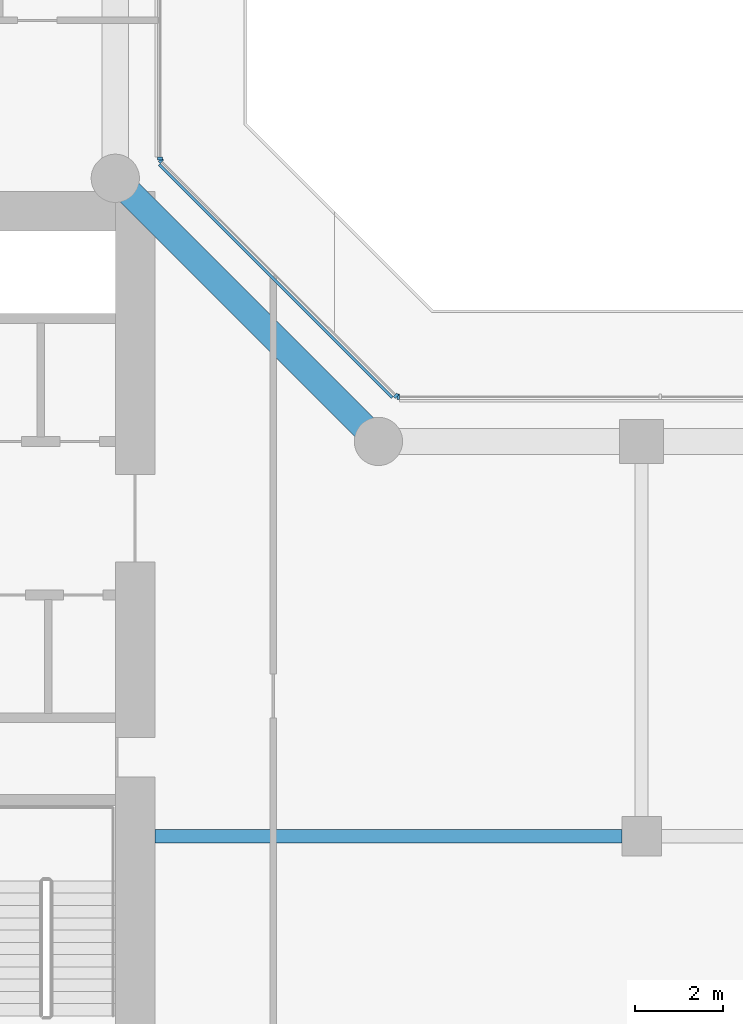
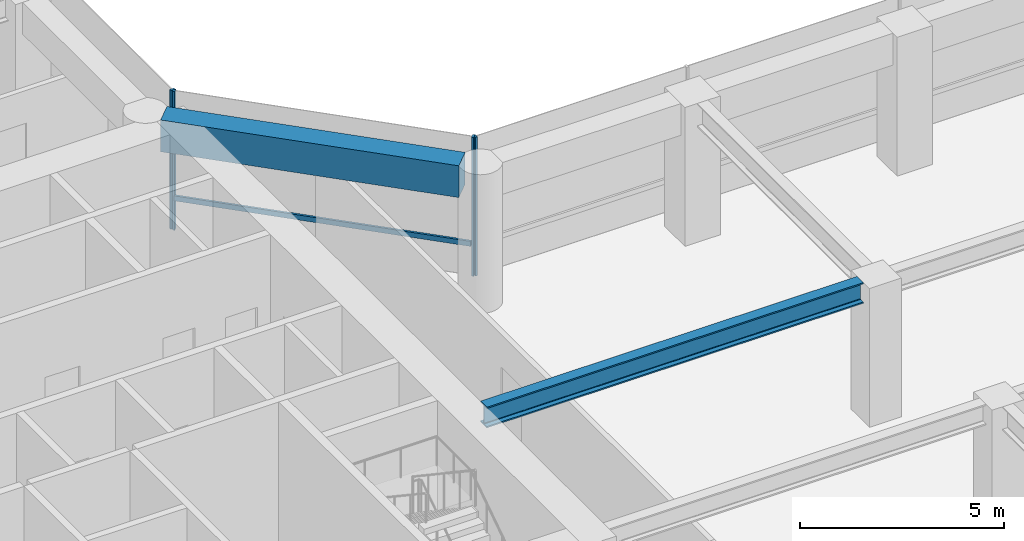
# One storey, part 5 of 24: 5 members, 2 beams, 3 elements without a shape of their own.
"""IFC4 building model written with IfcOpenShell, lengths in metres."""

import ifcopenshell
import ifcopenshell.guid

model = None  # the IFC model being written
_history = None  # IfcOwnerHistory: only IFC2X3 demands one
_inside = {}  # id of a spatial element -> (the spatial element, [elements in it])
_under = {}  # id of a project, library or spatial element -> (it, [spatial elements below it])
_declared = {}  # id of a project -> (the project, [libraries it declares])
_typed = {}  # id of a type object -> (the type object, [elements of that type])
_made_of = {}  # id of a material, layer set ... -> (it, [elements and type objects made of it])


def new_model(schema):
    """Start an empty IFC model of exactly this schema.

    Asked for "IFC4X3", IfcOpenShell would pick the latest addendum, in which some entities
    have other attributes; the version numbers below select the first issue.
    IFC2X3 requires an IfcOwnerHistory on every rooted entity: one is made here for all.
    """
    global model, _history
    if schema == "IFC4X3":
        model = ifcopenshell.file(schema_version=(4, 3, 0, 0))
    else:
        model = ifcopenshell.file(schema=schema)
    _inside.clear()
    _under.clear()
    _declared.clear()
    _typed.clear()
    _made_of.clear()
    _history = None
    if model.schema == "IFC2X3":
        org = make("IfcOrganization", Name="unknown")
        user = make(
            "IfcPersonAndOrganization",
            ThePerson=make("IfcPerson", FamilyName="unknown"),
            TheOrganization=org,
        )
        app = make(
            "IfcApplication",
            ApplicationDeveloper=org,
            Version="unknown",
            ApplicationFullName="unknown",
            ApplicationIdentifier="unknown",
        )
        _history = make(
            "IfcOwnerHistory",
            OwningUser=user,
            OwningApplication=app,
            ChangeAction="ADDED",
            CreationDate=0,
        )
    return model


def make(cls, **values):
    """One entity of the class cls with the attributes given. An attribute that is None is left unset."""
    return model.create_entity(
        cls, **{name: value for name, value in values.items() if value is not None}
    )


def rooted(cls, **values):
    """An entity with a GlobalId (a new one), such as an element, a storey or a relation."""
    return make(cls, GlobalId=ifcopenshell.guid.new(), OwnerHistory=_history, **values)


def si_unit(unit_type, name, prefix=None):
    """IfcSIUnit, for example si_unit("LENGTHUNIT", "METRE", prefix="MILLI")."""
    return make("IfcSIUnit", UnitType=unit_type, Prefix=prefix, Name=name)


def assignment(units):
    """IfcUnitAssignment: the units of a project."""
    return None if units is None else make("IfcUnitAssignment", Units=units)


def point(xyz):
    """IfcCartesianPoint."""
    return None if xyz is None else make("IfcCartesianPoint", Coordinates=xyz)


def direction(xyz):
    """IfcDirection."""
    return None if xyz is None else make("IfcDirection", DirectionRatios=xyz)


def frame(location, z_axis=None, x_axis=None):
    """IfcAxis2Placement3D, a coordinate frame: its origin and axes. An axis left out is left unset."""
    return make(
        "IfcAxis2Placement3D",
        Location=point(location),
        Axis=direction(z_axis),
        RefDirection=direction(x_axis),
    )


def frame_2d(location, x_axis=None):
    """IfcAxis2Placement2D, a coordinate frame in the plane: its origin and x axis."""
    return make(
        "IfcAxis2Placement2D", Location=point(location), RefDirection=direction(x_axis)
    )


def origin():
    """The frame at (0, 0, 0) with its axes left unset."""
    return frame((0.0, 0.0, 0.0))


def origin_2d():
    """The frame at (0, 0) in the plane with its x axis left unset."""
    return frame_2d((0.0, 0.0))


def place(relative_to, where):
    """IfcLocalPlacement: puts the frame where relative to a parent placement (None: the world)."""
    return make(
        "IfcLocalPlacement", PlacementRelTo=relative_to, RelativePlacement=where
    )


def context(
    kind, dimensions, precision=None, world=None, true_north=None, identifier=None
):
    """IfcGeometricRepresentationContext, for example the 3D "Model" context."""
    return make(
        "IfcGeometricRepresentationContext",
        ContextIdentifier=identifier,
        ContextType=kind,
        CoordinateSpaceDimension=dimensions,
        Precision=precision,
        WorldCoordinateSystem=world,
        TrueNorth=true_north,
    )


def subcontext(parent, identifier, kind, view, scale=None):
    """IfcGeometricRepresentationSubContext, for example "Body" below "Model"."""
    return make(
        "IfcGeometricRepresentationSubContext",
        ContextIdentifier=identifier,
        ContextType=kind,
        ParentContext=parent,
        TargetScale=scale,
        TargetView=view,
    )


def project(units=None, contexts=None):
    """IfcProject with its units and contexts."""
    return rooted(
        "IfcProject",
        Name="project",
        RepresentationContexts=contexts,
        UnitsInContext=assignment(units),
    )


def spatial(cls, under=None, at=None, **own):
    """A site, building, storey or space (cls), placed at a placement, below another one or the project."""
    s = rooted(cls, ObjectPlacement=at, **own)
    if under is not None:
        _under.setdefault(under.id(), (under, []))[1].append(s)
    return s


def profile(cls, at=None, kind="AREA", **sizes):
    """A parametric profile (cls). Its sizes go by their IFC names, for example OverallWidth=200.0."""
    return make(cls, ProfileType=kind, Position=at, **sizes)


def rectangle(**sizes):
    """IfcRectangleProfileDef."""
    return profile("IfcRectangleProfileDef", **sizes)


def i_section(**sizes):
    """IfcIShapeProfileDef."""
    return profile("IfcIShapeProfileDef", **sizes)


def extrude(swept, where, along, depth):
    """IfcExtrudedAreaSolid: the profile swept, set in the frame where, extruded along a direction by depth."""
    return make(
        "IfcExtrudedAreaSolid",
        SweptArea=swept,
        Position=where,
        ExtrudedDirection=direction(along),
        Depth=depth,
    )


def shape(context_of_items, identifier, shape_type, items):
    """IfcShapeRepresentation: the items that make up one representation, for example the "Body"."""
    return make(
        "IfcShapeRepresentation",
        ContextOfItems=context_of_items,
        RepresentationIdentifier=identifier,
        RepresentationType=shape_type,
        Items=items,
    )


def material(Name=None, Category=None):
    """IfcMaterial."""
    return make("IfcMaterial", Name=Name, Category=Category)


def layer(
    of_material, thickness, ventilated=None, Name=None, Category=None, Priority=None
):
    """IfcMaterialLayer: one layer of a wall or slab, of a material (None: an air gap)."""
    return make(
        "IfcMaterialLayer",
        Material=of_material,
        LayerThickness=thickness,
        IsVentilated=ventilated,
        Name=Name,
        Category=Category,
        Priority=Priority,
    )


def layer_set(layers, Name=None):
    """IfcMaterialLayerSet."""
    return make("IfcMaterialLayerSet", MaterialLayers=layers, LayerSetName=Name)


def material_profile(
    of_material, cross_section, Name=None, Category=None, Priority=None
):
    """IfcMaterialProfile: a cross section and its material."""
    return make(
        "IfcMaterialProfile",
        Name=Name,
        Material=of_material,
        Profile=cross_section,
        Priority=Priority,
        Category=Category,
    )


def profile_set(profiles, Name=None, composite=None):
    """IfcMaterialProfileSet."""
    return make(
        "IfcMaterialProfileSet",
        Name=Name,
        MaterialProfiles=profiles,
        CompositeProfile=composite,
    )


def made_of(thing, what):
    """Note that an element or type object is made of a material, layer set ...; save() writes the relation."""
    if what is not None:
        _made_of.setdefault(what.id(), (what, []))[1].append(thing)
    return thing


def type_object(cls, material=None, **own):
    """A type object (cls), such as IfcWallType, which elements share."""
    return made_of(rooted(cls, **own), material)


def element(
    cls,
    number,
    at=None,
    inside=None,
    cuts=None,
    type_object=None,
    material=None,
    context=None,
    identifier="Body",
    shape_type=None,
    held_by="IfcProductDefinitionShape",
    body=None,
    shapes=None,
    **own,
):
    """One element of the class cls, such as IfcWall. Its Tag is "e" and its number.

    at: its placement. inside: the storey or other place that contains it. cuts: it is an
    opening in that element (IfcRelVoidsElement). A single representation is given by context,
    identifier, shape_type and body (its items); several are given by shapes. held_by: the class
    of the entity that holds the representations. save() writes the other relations.
    """
    e = rooted(cls, Tag="e%d" % number, ObjectPlacement=at, **own)
    if body is not None:
        shapes = [shape(context, identifier, shape_type, body)]
    if shapes is not None:
        e.Representation = make(held_by, Representations=shapes)
    if inside is not None:
        _inside.setdefault(inside.id(), (inside, []))[1].append(e)
    if cuts is not None:
        rooted(
            "IfcRelVoidsElement", RelatingBuildingElement=cuts, RelatedOpeningElement=e
        )
    if type_object is not None:
        _typed.setdefault(type_object.id(), (type_object, []))[1].append(e)
    return made_of(e, material)


def aggregate(whole, parts):
    """IfcRelAggregates: a whole, such as a stair, and the parts it consists of."""
    return rooted("IfcRelAggregates", RelatingObject=whole, RelatedObjects=parts)


def save(model, path):
    """Write the relations noted so far, then the file.

    IfcRelAggregates (storeys below a building ...), IfcRelContainedInSpatialStructure (elements
    in a storey), IfcRelDefinesByType, IfcRelAssociatesMaterial and IfcRelDeclares: one each for
    every whole, place, type object, material and project.
    """
    for whole, parts in _under.values():
        aggregate(whole, parts)
    for where, things in _inside.values():
        rooted(
            "IfcRelContainedInSpatialStructure",
            RelatedElements=things,
            RelatingStructure=where,
        )
    for kind, things in _typed.values():
        rooted("IfcRelDefinesByType", RelatedObjects=things, RelatingType=kind)
    for what, things in _made_of.values():
        rooted("IfcRelAssociatesMaterial", RelatedObjects=things, RelatingMaterial=what)
    for by, libraries in _declared.values():
        rooted("IfcRelDeclares", RelatingContext=by, RelatedDefinitions=libraries)
    model.write(path)


model = new_model("IFC4")

# Units and contexts
model_context = context("Model", 3, precision=1e-05, world=origin(), true_north=direction((0.0, 1.0)))
body_context = subcontext(model_context, "Body", "Model", "MODEL_VIEW")
ifc_project = project(units=[si_unit("LENGTHUNIT", "METRE"), si_unit("AREAUNIT", "SQUARE_METRE"), si_unit("VOLUMEUNIT", "CUBIC_METRE"), si_unit("PLANEANGLEUNIT", "RADIAN"), si_unit("MASSUNIT", "GRAM", prefix="KILO")], contexts=[model_context])

# Site, building, storey
site_placement = place(None, origin())
site = spatial("IfcSite", under=ifc_project, at=site_placement, CompositionType="ELEMENT")
building_placement = place(site_placement, origin())
building = spatial("IfcBuilding", under=site, at=building_placement, Name="Welwitschia Terrace Campus", CompositionType="ELEMENT")
storey_placement = place(building_placement, frame((0.0, 0.0, 15.5)))
storey = spatial("IfcBuildingStorey", under=building, at=storey_placement, Name="L03", CompositionType="ELEMENT", Elevation=15.5)

# Beam
ifc_material_1 = material(Name="Steel S355", Category="steel")
ifc_material_profile_1 = material_profile(ifc_material_1, i_section(OverallWidth=0.304931640625, OverallDepth=0.6201171875, WebThickness=0.02099609375, FlangeThickness=0.0400390625, FilletRadius=0.027099609375, at=origin_2d()))
ifc_profile_set_1 = profile_set([ifc_material_profile_1], Name="Steel S355")
beam_type_1 = type_object("IfcBeamType", Name="Interior girder HE 600 M", PredefinedType="BEAM", material=ifc_profile_set_1)
beam_1_placement = place(storey_placement, frame((24.90087890625, 11.0, 3.840087890625), z_axis=(1.0, 0.0, 0.0), x_axis=(0.0, 1.0, 0.0)))
element("IfcBeam", 1, at=beam_1_placement, inside=storey, type_object=beam_type_1, Name="Girder GB1", PredefinedType="BEAM", context=body_context, shape_type="SweptSolid", body=[
    extrude(i_section(OverallWidth=0.304931640625, OverallDepth=0.6201171875, WebThickness=0.02099609375, FlangeThickness=0.0400390625, FilletRadius=0.027099609375, at=origin_2d()), origin(), (0.0, 0.0, 1.0), 10.648681640625),
])

# Curtain wall, member
ifc_material_2 = material(Name="Bronze anodised aluminium", Category="aluminium")
ifc_layer = layer(ifc_material_2, 0.1201171875)
ifc_layer_set = layer_set([ifc_layer], Name="Bronze anodised aluminium")
curtain_wall_type = type_object("IfcCurtainWallType", Name="Curtain wall CW2 tower 6000", PredefinedType="NOTDEFINED", material=ifc_layer_set)
curtain_wall_1_placement = place(storey_placement, origin())
curtain_wall_1 = element("IfcCurtainWall", 2, at=curtain_wall_1_placement, inside=storey, type_object=curtain_wall_type, Name="CW L03.5.0", PredefinedType="NOTDEFINED")
ifc_material_3 = material(Name="Bronze anodised aluminium", Category="aluminium")
ifc_material_profile_2 = material_profile(ifc_material_3, rectangle(XDim=0.1201171875, YDim=0.06005859375, at=origin_2d()))
ifc_profile_set_2 = profile_set([ifc_material_profile_2], Name="Bronze anodised aluminium")
member_type_1 = type_object("IfcMemberType", Name="Mullion 60x120", PredefinedType="MULLION", material=ifc_profile_set_2)
member_1_placement = place(storey_placement, frame((30.452392578125, 21.02001953125, 0.0), z_axis=(0.0, 0.0, 1.0), x_axis=(0.0, -1.0, 0.0)))
member_1 = element("IfcMember", 3, at=member_1_placement, type_object=member_type_1, Name="Mullion L03.5.0.5", PredefinedType="MULLION", context=body_context, shape_type="SweptSolid", body=[
    extrude(rectangle(XDim=0.1201171875, YDim=0.06005859375, at=origin_2d()), origin(), (0.0, 0.0, 1.0), 4.14990234375),
])
aggregate(curtain_wall_1, [member_1])

# Curtain wall, members
curtain_wall_2_placement = place(storey_placement, origin())
curtain_wall_2 = element("IfcCurtainWall", 4, at=curtain_wall_2_placement, inside=storey, type_object=curtain_wall_type, Name="CW L03.6.0", PredefinedType="NOTDEFINED")
member_2_placement = place(storey_placement, frame((30.4013671875, 21.041259765625, 0.0), z_axis=(0.0, 0.0, 1.0), x_axis=(-0.707106781187, -0.707106781187, 0.0)))
member_2 = element("IfcMember", 5, at=member_2_placement, type_object=member_type_1, Name="Mullion L03.6.0.0", PredefinedType="MULLION", context=body_context, shape_type="SweptSolid", body=[
    extrude(rectangle(XDim=0.1201171875, YDim=0.06005859375, at=origin_2d()), origin(), (0.0, 0.0, 1.0), 4.14990234375),
])
member_3_placement = place(storey_placement, frame((25.041259765625, 26.4013671875, 0.0), z_axis=(0.0, 0.0, 1.0), x_axis=(-0.707106781187, -0.707106781187, 0.0)))
member_3 = element("IfcMember", 6, at=member_3_placement, type_object=member_type_1, Name="Mullion L03.6.0.1", PredefinedType="MULLION", context=body_context, shape_type="SweptSolid", body=[
    extrude(rectangle(XDim=0.1201171875, YDim=0.06005859375, at=origin_2d()), origin(), (0.0, 0.0, 1.0), 4.14990234375),
])

# Curtain wall, member
curtain_wall_3_placement = place(storey_placement, origin())
curtain_wall_3 = element("IfcCurtainWall", 7, at=curtain_wall_3_placement, inside=storey, type_object=curtain_wall_type, Name="CW L03.7.0", PredefinedType="NOTDEFINED")
member_4_placement = place(storey_placement, frame((25.02001953125, 26.452392578125, 0.0), z_axis=(0.0, 0.0, 1.0), x_axis=(-1.0, 0.0, 0.0)))
member_4 = element("IfcMember", 8, at=member_4_placement, type_object=member_type_1, Name="Mullion L03.7.0.0", PredefinedType="MULLION", context=body_context, shape_type="SweptSolid", body=[
    extrude(rectangle(XDim=0.1201171875, YDim=0.06005859375, at=origin_2d()), origin(), (0.0, 0.0, 1.0), 4.14990234375),
])
aggregate(curtain_wall_3, [member_4])

# Beam
ifc_material_4 = material(Name="Concrete C60/75", Category="concrete")
ifc_material_profile_3 = material_profile(ifc_material_4, rectangle(XDim=0.60009765625, YDim=0.949951171875, at=origin_2d()))
ifc_profile_set_3 = profile_set([ifc_material_profile_3], Name="Concrete C60/75")
beam_type_2 = type_object("IfcBeamType", Name="Ring spandrel 600x950", PredefinedType="SPANDREL", material=ifc_profile_set_3)
beam_2_placement = place(storey_placement, frame((29.673583984375, 20.326416015625, 3.675048828125), z_axis=(-0.707106781187, 0.707106781187, 0.0), x_axis=(-0.707106781187, -0.707106781187, 0.0)))
element("IfcBeam", 9, at=beam_2_placement, inside=storey, type_object=beam_type_2, Name="Spandrel SP1", PredefinedType="SPANDREL", context=body_context, shape_type="SweptSolid", body=[
    extrude(rectangle(XDim=0.60009765625, YDim=0.949951171875, at=origin_2d()), origin(), (0.0, 0.0, 1.0), 7.56201171875),
])

# Member
ifc_material_5 = material(Name="Bronze anodised aluminium", Category="aluminium")
ifc_material_profile_4 = material_profile(ifc_material_5, rectangle(XDim=0.06005859375, YDim=0.14990234375, at=origin_2d()))
ifc_profile_set_4 = profile_set([ifc_material_profile_4], Name="Bronze anodised aluminium")
member_type_2 = type_object("IfcMemberType", Name="Transom 60x150", PredefinedType="USERDEFINED", material=ifc_profile_set_4)
member_5_placement = place(storey_placement, frame((30.31640625, 20.998779296875, 1.0), z_axis=(-0.707106781187, 0.707106781187, 0.0), x_axis=(-0.707106781187, -0.707106781187, 0.0)))
member_5 = element("IfcMember", 10, at=member_5_placement, type_object=member_type_2, Name="Transom L03.6.0", ObjectType="TRANSOM", PredefinedType="USERDEFINED", context=body_context, shape_type="SweptSolid", body=[
    extrude(rectangle(XDim=0.06005859375, YDim=0.14990234375, at=origin_2d()), origin(), (0.0, 0.0, 1.0), 7.520263671875),
])

aggregate(curtain_wall_2, [member_2, member_3, member_5])

save(model, "model.ifc")
